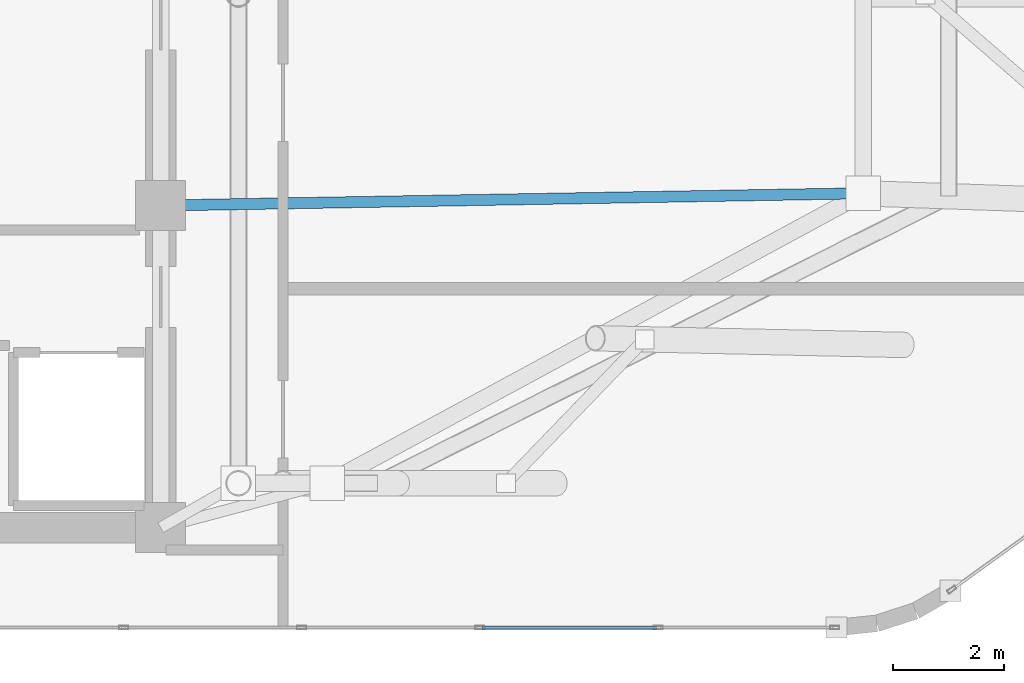
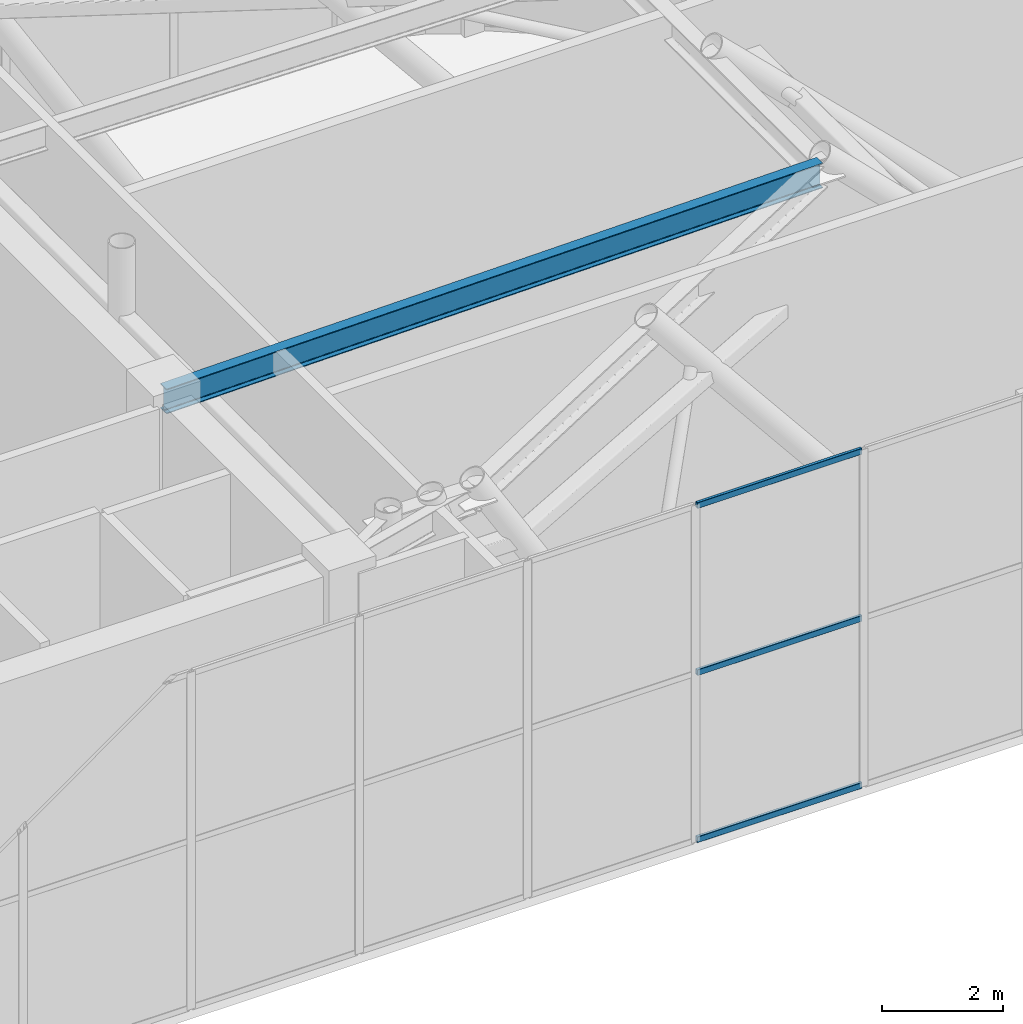
# One storey, part 9 of 23: 3 members, 1 beam, 1 element without a shape of its own.
"""IFC4 building model written with IfcOpenShell, lengths in metres."""

from ifc_helpers import new_model, si_unit, direction, frame, origin, origin_2d, place, context, subcontext, project, spatial, hollow_rectangle, i_section, extrude, material, layer, layer_set, material_profile, profile_set, type_object, element, aggregate, save


model = new_model("IFC4")

# Units and contexts
model_context = context("Model", 3, precision=1e-05, world=origin(), true_north=direction((0.0, 1.0)))
body_context = subcontext(model_context, "Body", "Model", "MODEL_VIEW")
ifc_project = project(units=[si_unit("LENGTHUNIT", "METRE"), si_unit("AREAUNIT", "SQUARE_METRE"), si_unit("VOLUMEUNIT", "CUBIC_METRE"), si_unit("PLANEANGLEUNIT", "RADIAN"), si_unit("MASSUNIT", "GRAM", prefix="KILO")], contexts=[model_context])

# Site, building, storey
site_placement = place(None, origin())
site = spatial("IfcSite", under=ifc_project, at=site_placement, CompositionType="ELEMENT")
building_placement = place(site_placement, origin())
building = spatial("IfcBuilding", under=site, at=building_placement, Name="An Khanh Terracotta Commons", CompositionType="ELEMENT")
storey_placement = place(building_placement, frame((0.0, 0.0, 322.0)))
storey = spatial("IfcBuildingStorey", under=building, at=storey_placement, Name="L81 Crown Heat-Recovery Plant", CompositionType="ELEMENT", Elevation=322.0)

# Beam
ifc_material_1 = material(Name="Steel S355J2", Category="steel")
ifc_material_profile_1 = material_profile(ifc_material_1, i_section(OverallWidth=0.199951171875, OverallDepth=0.5, WebThickness=0.01025390625, FlangeThickness=0.01611328125, FilletRadius=0.02099609375, at=origin_2d()), Name="IPE500")
ifc_profile_set_1 = profile_set([ifc_material_profile_1], Name="Steel S355J2")
beam_type = type_object("IfcBeamType", Name="BM-IPE500", PredefinedType="BEAM", material=ifc_profile_set_1)
beam_placement = place(storey_placement, frame((37.199951171875, 20.199951171875, 6.330078125), z_axis=(0.999848849319, 0.017386158704, 0.0), x_axis=(-0.017386158704, 0.999848849319, 0.0)))
element("IfcBeam", 1, at=beam_placement, inside=storey, type_object=beam_type, Name="L81 Crown Heat-Recovery Plant Crown Radial Tie Beam 3", PredefinedType="BEAM", context=body_context, shape_type="SweptSolid", body=[
    extrude(i_section(OverallWidth=0.199951171875, OverallDepth=0.5, WebThickness=0.01025390625, FlangeThickness=0.01611328125, FilletRadius=0.02099609375, at=origin_2d()), origin(), (0.0, 0.0, 1.0), 12.652099609375),
])

# Curtain wall, members
ifc_material_2 = material(Name="Anodised Aluminium 6063-T6", Category="aluminium")
ifc_layer = layer(ifc_material_2, 0.18994140625, Name="Anodised Aluminium 6063-T6")
ifc_layer_set = layer_set([ifc_layer], Name="Anodised Aluminium 6063-T6")
curtain_wall_type = type_object("IfcCurtainWallType", Name="CW-SYS-06", PredefinedType="USERDEFINED", material=ifc_layer_set)
curtain_wall_placement = place(storey_placement, origin())
curtain_wall = element("IfcCurtainWall", 2, at=curtain_wall_placement, inside=storey, type_object=curtain_wall_type, Name="L81 Crown Heat-Recovery Plant CW-06 Unitised Curtain Wall CW-L81-04", ObjectType="UNITISED CURTAIN WALL", PredefinedType="USERDEFINED")
ifc_material_profile_2 = material_profile(ifc_material_2, hollow_rectangle(XDim=0.06005859375, YDim=0.1201171875, WallThickness=0.003662109375, InnerFilletRadius=0.003662109375, OuterFilletRadius=0.007080078125, at=origin_2d()), Name="RHS120x60x3.6")
ifc_profile_set_2 = profile_set([ifc_material_profile_2], Name="Anodised Aluminium 6063-T6")
member_type = type_object("IfcMemberType", Name="CWT-RHS120x60x3.6", PredefinedType="USERDEFINED", material=ifc_profile_set_2)
member_1_placement = place(storey_placement, frame((42.982666015625, 12.60009765625, 0.030029296875), z_axis=(1.0, 0.0, 0.0), x_axis=(0.0, 1.0, 0.0)))
member_1 = element("IfcMember", 3, at=member_1_placement, type_object=member_type, Name="CW-06 transom 7.1", ObjectType="TRANSOM", PredefinedType="USERDEFINED", context=body_context, shape_type="SweptSolid", body=[
    extrude(hollow_rectangle(XDim=0.06005859375, YDim=0.1201171875, WallThickness=0.003662109375, InnerFilletRadius=0.003662109375, OuterFilletRadius=0.007080078125, at=origin_2d()), origin(), (0.0, 0.0, 1.0), 3.1435546875),
])
member_2_placement = place(storey_placement, frame((42.982666015625, 12.60009765625, 3.39990234375), z_axis=(1.0, 0.0, 0.0), x_axis=(0.0, 1.0, 0.0)))
member_2 = element("IfcMember", 4, at=member_2_placement, type_object=member_type, Name="CW-06 transom 7.2", ObjectType="TRANSOM", PredefinedType="USERDEFINED", context=body_context, shape_type="SweptSolid", body=[
    extrude(hollow_rectangle(XDim=0.06005859375, YDim=0.1201171875, WallThickness=0.003662109375, InnerFilletRadius=0.003662109375, OuterFilletRadius=0.007080078125, at=origin_2d()), origin(), (0.0, 0.0, 1.0), 3.1435546875),
])
member_3_placement = place(storey_placement, frame((42.982666015625, 12.60009765625, 6.77001953125), z_axis=(1.0, 0.0, 0.0), x_axis=(0.0, 1.0, 0.0)))
member_3 = element("IfcMember", 5, at=member_3_placement, type_object=member_type, Name="CW-06 transom 7.3", ObjectType="TRANSOM", PredefinedType="USERDEFINED", context=body_context, shape_type="SweptSolid", body=[
    extrude(hollow_rectangle(XDim=0.06005859375, YDim=0.1201171875, WallThickness=0.003662109375, InnerFilletRadius=0.003662109375, OuterFilletRadius=0.007080078125, at=origin_2d()), origin(), (0.0, 0.0, 1.0), 3.1435546875),
])
aggregate(curtain_wall, [member_1, member_2, member_3])

save(model, "model.ifc")
